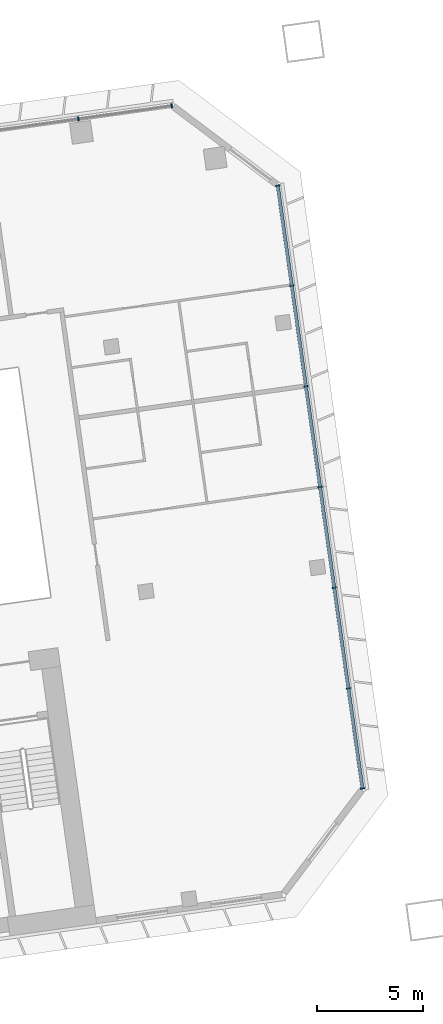
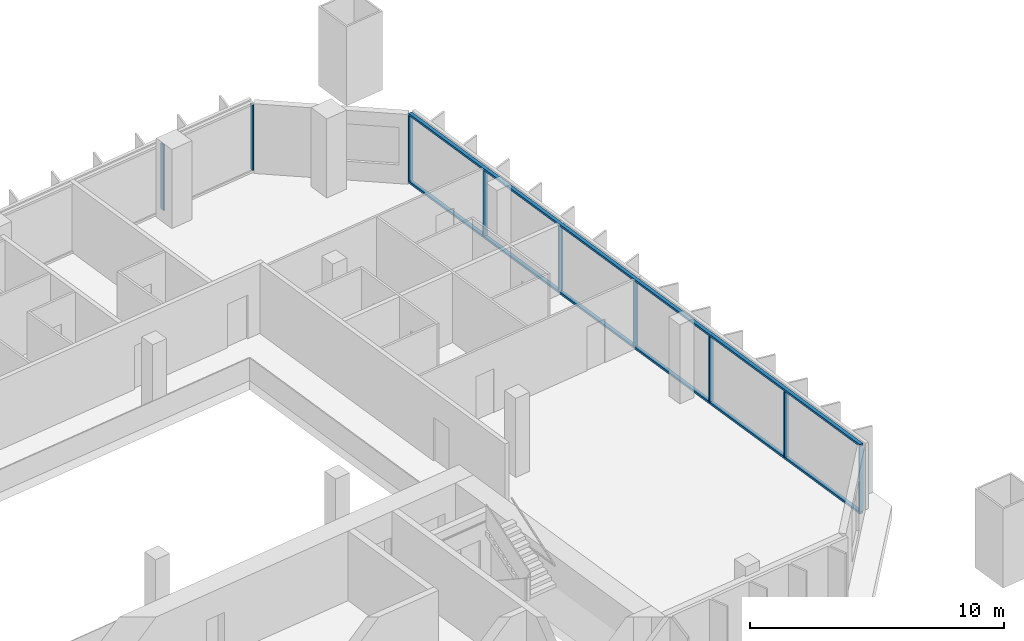
# One storey, part 11 of 25: 11 members, 2 elements without a shape of their own.
"""IFC4 building model written with IfcOpenShell, lengths in metres."""

import ifcopenshell
import ifcopenshell.guid

model = None  # the IFC model being written
_history = None  # IfcOwnerHistory: only IFC2X3 demands one
_inside = {}  # id of a spatial element -> (the spatial element, [elements in it])
_under = {}  # id of a project, library or spatial element -> (it, [spatial elements below it])
_declared = {}  # id of a project -> (the project, [libraries it declares])
_typed = {}  # id of a type object -> (the type object, [elements of that type])
_made_of = {}  # id of a material, layer set ... -> (it, [elements and type objects made of it])


def new_model(schema):
    """Start an empty IFC model of exactly this schema.

    Asked for "IFC4X3", IfcOpenShell would pick the latest addendum, in which some entities
    have other attributes; the version numbers below select the first issue.
    IFC2X3 requires an IfcOwnerHistory on every rooted entity: one is made here for all.
    """
    global model, _history
    if schema == "IFC4X3":
        model = ifcopenshell.file(schema_version=(4, 3, 0, 0))
    else:
        model = ifcopenshell.file(schema=schema)
    _inside.clear()
    _under.clear()
    _declared.clear()
    _typed.clear()
    _made_of.clear()
    _history = None
    if model.schema == "IFC2X3":
        org = make("IfcOrganization", Name="unknown")
        user = make(
            "IfcPersonAndOrganization",
            ThePerson=make("IfcPerson", FamilyName="unknown"),
            TheOrganization=org,
        )
        app = make(
            "IfcApplication",
            ApplicationDeveloper=org,
            Version="unknown",
            ApplicationFullName="unknown",
            ApplicationIdentifier="unknown",
        )
        _history = make(
            "IfcOwnerHistory",
            OwningUser=user,
            OwningApplication=app,
            ChangeAction="ADDED",
            CreationDate=0,
        )
    return model


def make(cls, **values):
    """One entity of the class cls with the attributes given. An attribute that is None is left unset."""
    return model.create_entity(
        cls, **{name: value for name, value in values.items() if value is not None}
    )


def rooted(cls, **values):
    """An entity with a GlobalId (a new one), such as an element, a storey or a relation."""
    return make(cls, GlobalId=ifcopenshell.guid.new(), OwnerHistory=_history, **values)


def si_unit(unit_type, name, prefix=None):
    """IfcSIUnit, for example si_unit("LENGTHUNIT", "METRE", prefix="MILLI")."""
    return make("IfcSIUnit", UnitType=unit_type, Prefix=prefix, Name=name)


def assignment(units):
    """IfcUnitAssignment: the units of a project."""
    return None if units is None else make("IfcUnitAssignment", Units=units)


def point(xyz):
    """IfcCartesianPoint."""
    return None if xyz is None else make("IfcCartesianPoint", Coordinates=xyz)


def direction(xyz):
    """IfcDirection."""
    return None if xyz is None else make("IfcDirection", DirectionRatios=xyz)


def frame(location, z_axis=None, x_axis=None):
    """IfcAxis2Placement3D, a coordinate frame: its origin and axes. An axis left out is left unset."""
    return make(
        "IfcAxis2Placement3D",
        Location=point(location),
        Axis=direction(z_axis),
        RefDirection=direction(x_axis),
    )


def frame_2d(location, x_axis=None):
    """IfcAxis2Placement2D, a coordinate frame in the plane: its origin and x axis."""
    return make(
        "IfcAxis2Placement2D", Location=point(location), RefDirection=direction(x_axis)
    )


def origin():
    """The frame at (0, 0, 0) with its axes left unset."""
    return frame((0.0, 0.0, 0.0))


def origin_2d():
    """The frame at (0, 0) in the plane with its x axis left unset."""
    return frame_2d((0.0, 0.0))


def place(relative_to, where):
    """IfcLocalPlacement: puts the frame where relative to a parent placement (None: the world)."""
    return make(
        "IfcLocalPlacement", PlacementRelTo=relative_to, RelativePlacement=where
    )


def context(
    kind, dimensions, precision=None, world=None, true_north=None, identifier=None
):
    """IfcGeometricRepresentationContext, for example the 3D "Model" context."""
    return make(
        "IfcGeometricRepresentationContext",
        ContextIdentifier=identifier,
        ContextType=kind,
        CoordinateSpaceDimension=dimensions,
        Precision=precision,
        WorldCoordinateSystem=world,
        TrueNorth=true_north,
    )


def subcontext(parent, identifier, kind, view, scale=None):
    """IfcGeometricRepresentationSubContext, for example "Body" below "Model"."""
    return make(
        "IfcGeometricRepresentationSubContext",
        ContextIdentifier=identifier,
        ContextType=kind,
        ParentContext=parent,
        TargetScale=scale,
        TargetView=view,
    )


def project(units=None, contexts=None):
    """IfcProject with its units and contexts."""
    return rooted(
        "IfcProject",
        Name="project",
        RepresentationContexts=contexts,
        UnitsInContext=assignment(units),
    )


def spatial(cls, under=None, at=None, **own):
    """A site, building, storey or space (cls), placed at a placement, below another one or the project."""
    s = rooted(cls, ObjectPlacement=at, **own)
    if under is not None:
        _under.setdefault(under.id(), (under, []))[1].append(s)
    return s


def profile(cls, at=None, kind="AREA", **sizes):
    """A parametric profile (cls). Its sizes go by their IFC names, for example OverallWidth=200.0."""
    return make(cls, ProfileType=kind, Position=at, **sizes)


def rectangle(**sizes):
    """IfcRectangleProfileDef."""
    return profile("IfcRectangleProfileDef", **sizes)


def extrude(swept, where, along, depth):
    """IfcExtrudedAreaSolid: the profile swept, set in the frame where, extruded along a direction by depth."""
    return make(
        "IfcExtrudedAreaSolid",
        SweptArea=swept,
        Position=where,
        ExtrudedDirection=direction(along),
        Depth=depth,
    )


def shape(context_of_items, identifier, shape_type, items):
    """IfcShapeRepresentation: the items that make up one representation, for example the "Body"."""
    return make(
        "IfcShapeRepresentation",
        ContextOfItems=context_of_items,
        RepresentationIdentifier=identifier,
        RepresentationType=shape_type,
        Items=items,
    )


def material(Name=None, Category=None):
    """IfcMaterial."""
    return make("IfcMaterial", Name=Name, Category=Category)


def material_profile(
    of_material, cross_section, Name=None, Category=None, Priority=None
):
    """IfcMaterialProfile: a cross section and its material."""
    return make(
        "IfcMaterialProfile",
        Name=Name,
        Material=of_material,
        Profile=cross_section,
        Priority=Priority,
        Category=Category,
    )


def profile_set(profiles, Name=None, composite=None):
    """IfcMaterialProfileSet."""
    return make(
        "IfcMaterialProfileSet",
        Name=Name,
        MaterialProfiles=profiles,
        CompositeProfile=composite,
    )


def made_of(thing, what):
    """Note that an element or type object is made of a material, layer set ...; save() writes the relation."""
    if what is not None:
        _made_of.setdefault(what.id(), (what, []))[1].append(thing)
    return thing


def type_object(cls, material=None, **own):
    """A type object (cls), such as IfcWallType, which elements share."""
    return made_of(rooted(cls, **own), material)


def element(
    cls,
    number,
    at=None,
    inside=None,
    cuts=None,
    type_object=None,
    material=None,
    context=None,
    identifier="Body",
    shape_type=None,
    held_by="IfcProductDefinitionShape",
    body=None,
    shapes=None,
    **own,
):
    """One element of the class cls, such as IfcWall. Its Tag is "e" and its number.

    at: its placement. inside: the storey or other place that contains it. cuts: it is an
    opening in that element (IfcRelVoidsElement). A single representation is given by context,
    identifier, shape_type and body (its items); several are given by shapes. held_by: the class
    of the entity that holds the representations. save() writes the other relations.
    """
    e = rooted(cls, Tag="e%d" % number, ObjectPlacement=at, **own)
    if body is not None:
        shapes = [shape(context, identifier, shape_type, body)]
    if shapes is not None:
        e.Representation = make(held_by, Representations=shapes)
    if inside is not None:
        _inside.setdefault(inside.id(), (inside, []))[1].append(e)
    if cuts is not None:
        rooted(
            "IfcRelVoidsElement", RelatingBuildingElement=cuts, RelatedOpeningElement=e
        )
    if type_object is not None:
        _typed.setdefault(type_object.id(), (type_object, []))[1].append(e)
    return made_of(e, material)


def aggregate(whole, parts):
    """IfcRelAggregates: a whole, such as a stair, and the parts it consists of."""
    return rooted("IfcRelAggregates", RelatingObject=whole, RelatedObjects=parts)


def save(model, path):
    """Write the relations noted so far, then the file.

    IfcRelAggregates (storeys below a building ...), IfcRelContainedInSpatialStructure (elements
    in a storey), IfcRelDefinesByType, IfcRelAssociatesMaterial and IfcRelDeclares: one each for
    every whole, place, type object, material and project.
    """
    for whole, parts in _under.values():
        aggregate(whole, parts)
    for where, things in _inside.values():
        rooted(
            "IfcRelContainedInSpatialStructure",
            RelatedElements=things,
            RelatingStructure=where,
        )
    for kind, things in _typed.values():
        rooted("IfcRelDefinesByType", RelatedObjects=things, RelatingType=kind)
    for what, things in _made_of.values():
        rooted("IfcRelAssociatesMaterial", RelatedObjects=things, RelatingMaterial=what)
    for by, libraries in _declared.values():
        rooted("IfcRelDeclares", RelatingContext=by, RelatedDefinitions=libraries)
    model.write(path)


model = new_model("IFC4")

# Units and contexts
model_context = context("Model", 3, precision=1e-05, world=origin(), true_north=direction((0.0, 1.0)))
body_context = subcontext(model_context, "Body", "Model", "MODEL_VIEW")
ifc_project = project(units=[si_unit("LENGTHUNIT", "METRE"), si_unit("AREAUNIT", "SQUARE_METRE"), si_unit("VOLUMEUNIT", "CUBIC_METRE"), si_unit("PLANEANGLEUNIT", "RADIAN"), si_unit("MASSUNIT", "GRAM", prefix="KILO")], contexts=[model_context])

# Site, building, storey
site_placement = place(None, origin())
site = spatial("IfcSite", under=ifc_project, at=site_placement, CompositionType="ELEMENT")
building_placement = place(site_placement, origin())
building = spatial("IfcBuilding", under=site, at=building_placement, Name="Mirante Cascada Hotel Towers", CompositionType="ELEMENT")
storey_placement = place(building_placement, frame((0.0, 0.0, 58.5)))
storey = spatial("IfcBuildingStorey", under=building, at=storey_placement, Name="L11", CompositionType="ELEMENT", Elevation=58.5)

# Curtain wall, members
ifc_material_1 = material(Name="Aluminium mullion and transom frame with clear laminated glass", Category="aluminium")
curtain_wall_type_1 = type_object("IfcCurtainWallType", Name="Ribbon curtain wall ECW1", PredefinedType="NOTDEFINED", material=ifc_material_1)
curtain_wall_1_placement = place(storey_placement, origin())
curtain_wall_1 = element("IfcCurtainWall", 1, at=curtain_wall_1_placement, inside=storey, type_object=curtain_wall_type_1, Name="Front ribbon wall T2 L11", PredefinedType="NOTDEFINED")
ifc_material_2 = material(Name="Anodised aluminium extrusion", Category="aluminium")
ifc_material_profile_1 = material_profile(ifc_material_2, rectangle(XDim=0.2, YDim=0.065, at=origin_2d()), Name="ECW1 MULLION 65x200")
ifc_profile_set_1 = profile_set([ifc_material_profile_1], Name="Anodised aluminium extrusion")
member_type_1 = type_object("IfcMemberType", Name="ECW1 mullion 65x200", PredefinedType="MULLION", material=ifc_profile_set_1)
member_1_placement = place(storey_placement, frame((94.126, 26.0476, 0.1), z_axis=(0.0, 0.0, 1.0), x_axis=(0.1391731, -0.9902681, 0.0)))
member_1 = element("IfcMember", 2, at=member_1_placement, type_object=member_type_1, Name="ECW1 mullion 1", PredefinedType="MULLION", context=body_context, shape_type="SweptSolid", body=[
    extrude(rectangle(XDim=0.2, YDim=0.065, at=origin_2d()), origin(), (0.0, 0.0, 1.0), 3.15),
])
member_2_placement = place(storey_placement, frame((89.7107, 25.427, 0.1), z_axis=(0.0, 0.0, 1.0), x_axis=(0.1391731, -0.9902681, 0.0)))
member_2 = element("IfcMember", 3, at=member_2_placement, type_object=member_type_1, Name="ECW1 mullion 2", PredefinedType="MULLION", context=body_context, shape_type="SweptSolid", body=[
    extrude(rectangle(XDim=0.2, YDim=0.065, at=origin_2d()), origin(), (0.0, 0.0, 1.0), 3.15),
])
aggregate(curtain_wall_1, [member_1, member_2])

ifc_material_3 = material(Name="Aluminium mullion and transom frame with clear laminated glass", Category="aluminium")
curtain_wall_type_2 = type_object("IfcCurtainWallType", Name="End ribbon curtain wall ECW2", PredefinedType="NOTDEFINED", material=ifc_material_3)
curtain_wall_2_placement = place(storey_placement, origin())
curtain_wall_2 = element("IfcCurtainWall", 4, at=curtain_wall_2_placement, inside=storey, type_object=curtain_wall_type_2, Name="Outer end wall T2 L11", PredefinedType="NOTDEFINED")
ifc_material_4 = material(Name="Anodised aluminium extrusion", Category="aluminium")
ifc_material_profile_2 = material_profile(ifc_material_4, rectangle(XDim=0.2, YDim=0.065, at=origin_2d()), Name="ECW2 MULLION 65x200")
ifc_profile_set_2 = profile_set([ifc_material_profile_2], Name="Anodised aluminium extrusion")
member_type_2 = type_object("IfcMemberType", Name="ECW2 mullion 65x200", PredefinedType="MULLION", material=ifc_profile_set_2)
member_3_placement = place(storey_placement, frame((103.1556, -6.2656, 0.1), z_axis=(0.0, 0.0, 1.0), x_axis=(-0.9902681, -0.1391731, 0.0)))
member_3 = element("IfcMember", 5, at=member_3_placement, type_object=member_type_2, Name="ECW2 mullion 1", PredefinedType="MULLION", context=body_context, shape_type="SweptSolid", body=[
    extrude(rectangle(XDim=0.2, YDim=0.065, at=origin_2d()), origin(), (0.0, 0.0, 1.0), 3.15),
])
member_4_placement = place(storey_placement, frame((102.4903, -1.532, 0.1), z_axis=(0.0, 0.0, 1.0), x_axis=(-0.9902681, -0.1391731, 0.0)))
member_4 = element("IfcMember", 6, at=member_4_placement, type_object=member_type_2, Name="ECW2 mullion 2", PredefinedType="MULLION", context=body_context, shape_type="SweptSolid", body=[
    extrude(rectangle(XDim=0.2, YDim=0.065, at=origin_2d()), origin(), (0.0, 0.0, 1.0), 3.15),
])
member_5_placement = place(storey_placement, frame((101.8205, 3.2338, 0.1), z_axis=(0.0, 0.0, 1.0), x_axis=(-0.9902681, -0.1391731, 0.0)))
member_5 = element("IfcMember", 7, at=member_5_placement, type_object=member_type_2, Name="ECW2 mullion 3", PredefinedType="MULLION", context=body_context, shape_type="SweptSolid", body=[
    extrude(rectangle(XDim=0.2, YDim=0.065, at=origin_2d()), origin(), (0.0, 0.0, 1.0), 3.15),
])
member_6_placement = place(storey_placement, frame((101.1508, 7.9996, 0.1), z_axis=(0.0, 0.0, 1.0), x_axis=(-0.9902681, -0.1391731, 0.0)))
member_6 = element("IfcMember", 8, at=member_6_placement, type_object=member_type_2, Name="ECW2 mullion 4", PredefinedType="MULLION", context=body_context, shape_type="SweptSolid", body=[
    extrude(rectangle(XDim=0.2, YDim=0.065, at=origin_2d()), origin(), (0.0, 0.0, 1.0), 3.15),
])
member_7_placement = place(storey_placement, frame((100.481, 12.7654, 0.1), z_axis=(0.0, 0.0, 1.0), x_axis=(-0.9902681, -0.1391731, 0.0)))
member_7 = element("IfcMember", 9, at=member_7_placement, type_object=member_type_2, Name="ECW2 mullion 5", PredefinedType="MULLION", context=body_context, shape_type="SweptSolid", body=[
    extrude(rectangle(XDim=0.2, YDim=0.065, at=origin_2d()), origin(), (0.0, 0.0, 1.0), 3.15),
])
member_8_placement = place(storey_placement, frame((99.8112, 17.5312, 0.1), z_axis=(0.0, 0.0, 1.0), x_axis=(-0.9902681, -0.1391731, 0.0)))
member_8 = element("IfcMember", 10, at=member_8_placement, type_object=member_type_2, Name="ECW2 mullion 6", PredefinedType="MULLION", context=body_context, shape_type="SweptSolid", body=[
    extrude(rectangle(XDim=0.2, YDim=0.065, at=origin_2d()), origin(), (0.0, 0.0, 1.0), 3.15),
])
member_9_placement = place(storey_placement, frame((99.1459, 22.2648, 0.1), z_axis=(0.0, 0.0, 1.0), x_axis=(-0.9902681, -0.1391731, 0.0)))
member_9 = element("IfcMember", 11, at=member_9_placement, type_object=member_type_2, Name="ECW2 mullion 7", PredefinedType="MULLION", context=body_context, shape_type="SweptSolid", body=[
    extrude(rectangle(XDim=0.2, YDim=0.065, at=origin_2d()), origin(), (0.0, 0.0, 1.0), 3.15),
])
ifc_material_5 = material(Name="Anodised aluminium extrusion", Category="aluminium")
ifc_material_profile_3 = material_profile(ifc_material_5, rectangle(XDim=0.16, YDim=0.1, at=origin_2d()), Name="ECW2 TRANSOM 100x160")
ifc_profile_set_3 = profile_set([ifc_material_profile_3], Name="Anodised aluminium extrusion")
member_type_3 = type_object("IfcMemberType", Name="ECW2 transom 100x160", PredefinedType="USERDEFINED", material=ifc_profile_set_3)
member_10_placement = place(storey_placement, frame((103.1601, -6.2978, 0.05), z_axis=(-0.1391723, 0.9902682, 0.0), x_axis=(-0.9902682, -0.1391723, 0.0)))
member_10 = element("IfcMember", 12, at=member_10_placement, type_object=member_type_3, Name="ECW2 sill transom", ObjectType="TRANSOM", PredefinedType="USERDEFINED", context=body_context, shape_type="SweptSolid", body=[
    extrude(rectangle(XDim=0.16, YDim=0.1, at=origin_2d()), origin(), (0.0, 0.0, 1.0), 28.8757),
])
member_11_placement = place(storey_placement, frame((103.1601, -6.2978, 3.3), z_axis=(-0.1391723, 0.9902682, 0.0), x_axis=(-0.9902682, -0.1391723, 0.0)))
member_11 = element("IfcMember", 13, at=member_11_placement, type_object=member_type_3, Name="ECW2 head transom", ObjectType="TRANSOM", PredefinedType="USERDEFINED", context=body_context, shape_type="SweptSolid", body=[
    extrude(rectangle(XDim=0.16, YDim=0.1, at=origin_2d()), origin(), (0.0, 0.0, 1.0), 28.8757),
])
aggregate(curtain_wall_2, [member_10, member_11, member_3, member_4, member_5, member_6, member_7, member_8, member_9])

save(model, "model.ifc")
